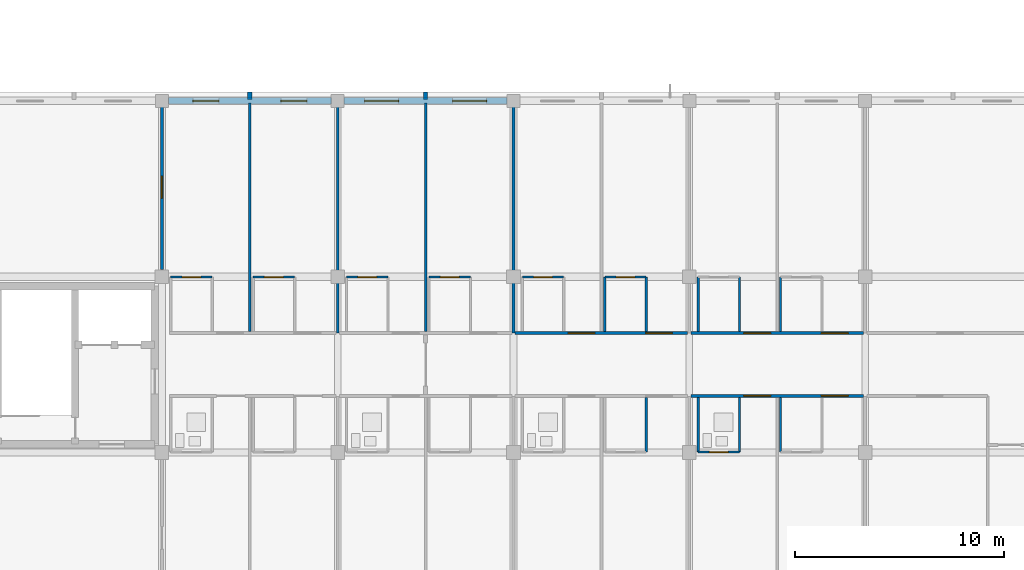
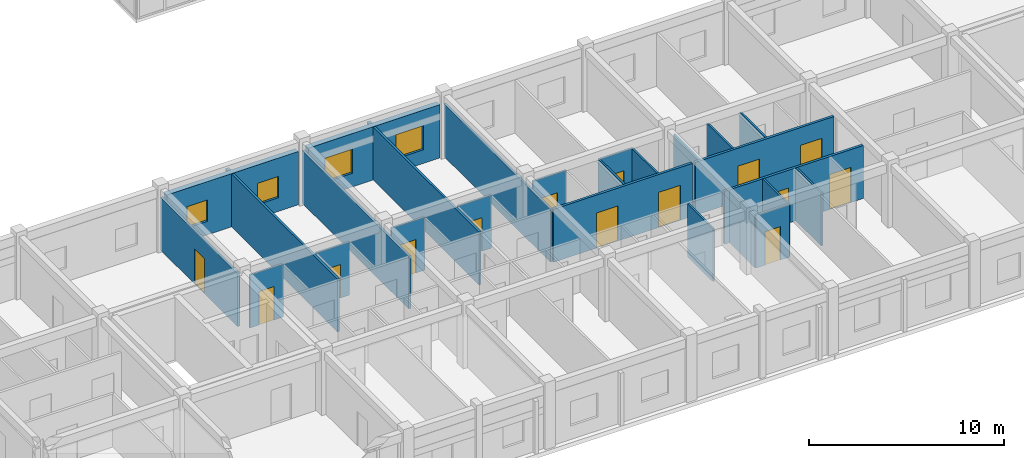
# One storey, part 60 of 81: 28 walls, 14 doors, 4 windows, 18 openings.
"""IFC4 building model written with IfcOpenShell, lengths in metres."""

from ifc_helpers import new_model, si_unit, direction, frame, frame_2d, origin, place, context, subcontext, project, spatial, rectangle, extrude, material, layer, layer_set, type_object, element, fill, save


model = new_model("IFC4")

# Units and contexts
model_context = context("Model", 3, precision=1e-05, world=origin(), true_north=direction((0.0, 1.0)))
body_context = subcontext(model_context, "Body", "Model", "MODEL_VIEW")
ifc_project = project(units=[si_unit("LENGTHUNIT", "METRE"), si_unit("AREAUNIT", "SQUARE_METRE"), si_unit("VOLUMEUNIT", "CUBIC_METRE"), si_unit("PLANEANGLEUNIT", "RADIAN"), si_unit("MASSUNIT", "GRAM", prefix="KILO")], contexts=[model_context])

# Site, building, storey
site_placement = place(None, origin())
site = spatial("IfcSite", under=ifc_project, at=site_placement, CompositionType="ELEMENT")
building_placement = place(site_placement, origin())
building = spatial("IfcBuilding", under=site, at=building_placement, Name="Trelvath General Hospital", CompositionType="ELEMENT")
storey_placement = place(building_placement, frame((0.0, 0.0, 24.60009765625)))
storey = spatial("IfcBuildingStorey", under=building, at=storey_placement, Name="L06", CompositionType="ELEMENT", Elevation=24.60009765625)

# Walls
ifc_material_1 = material(Name="Precast concrete C40/50", Category="concrete")
ifc_layer_1 = layer(ifc_material_1, 0.199951171875)
ifc_layer_set_1 = layer_set([ifc_layer_1], Name="Precast concrete C40/50")
wall_type_1 = type_object("IfcWallType", Name="BriseSoleilRib 200", PredefinedType="ELEMENTEDWALL", material=ifc_layer_set_1)
for number, where, z_axis, x_axis, name in (
    (1, (54.60009765625, 25.27490234375, 0.0), (0.0, 0.0, 1.0), (0.0, 1.0, 0.0), "Precast Concrete Brise-Soleil Rib Fin L06-420"),
    (2, (63.0, 25.27490234375, 0.0), (0.0, 0.0, 1.0), (0.0, 1.0, 0.0), "Precast Concrete Brise-Soleil Rib Fin L06-424"),
):
    element("IfcWall", number, at=place(storey_placement, frame(where, z_axis=z_axis, x_axis=x_axis)), inside=storey, type_object=wall_type_1, Name=name, PredefinedType="ELEMENTEDWALL", context=body_context, shape_type="SweptSolid", body=[
        extrude(rectangle(XDim=0.340087890625, YDim=0.199951171875, at=frame_2d((0.169921875, 0.0))), origin(), (0.0, 0.0, 1.0), 3.31982421875),
    ])

# Wall, openings, doors
ifc_material_2 = material(Name="Gypsum acoustic steel-stud partition", Category="steel")
ifc_layer_2 = layer(ifc_material_2, 0.14990234375)
ifc_layer_set_2 = layer_set([ifc_layer_2], Name="Gypsum acoustic steel-stud partition")
wall_type_2 = type_object("IfcWallType", Name="ClinicalPartition 150", PredefinedType="PARTITIONING", material=ifc_layer_set_2)
wall_1_placement = place(storey_placement, frame((75.52001953125, 14.10009765625, 0.0), z_axis=(0.0, 0.0, 1.0), x_axis=(-1.0, 0.0, 0.0)))
wall_1 = element("IfcWall", 3, at=wall_1_placement, inside=storey, type_object=wall_type_2, Name="Corridor Partition N L06-2092", PredefinedType="PARTITIONING", context=body_context, shape_type="SweptSolid", body=[
    extrude(rectangle(XDim=8.239990234375, YDim=0.14990234375, at=frame_2d((4.1201171875, 0.0))), origin(), (0.0, 0.0, 1.0), 3.31982421875),
])
opening_1_placement = place(wall_1_placement, frame((0.72998046875, 0.0, 0.0)))
opening_1 = element("IfcOpeningElement", 4, at=opening_1_placement, cuts=wall_1, Name="Opening D-6-1338", PredefinedType="OPENING", context=body_context, shape_type="SweptSolid", body=[
    extrude(rectangle(XDim=1.280029296875, YDim=2.199951171875, at=frame_2d((0.64013671875, 1.10009765625))), frame((0.0, 0.0849609375, 0.0), z_axis=(0.0, -1.0, 0.0), x_axis=(1.0, 0.0, 0.0)), (0.0, 0.0, 1.0), 0.169921875),
])
opening_2_placement = place(wall_1_placement, frame((4.429931640625, 0.0, 0.0)))
opening_2 = element("IfcOpeningElement", 5, at=opening_2_placement, cuts=wall_1, Name="Opening D-6-1339", PredefinedType="OPENING", context=body_context, shape_type="SweptSolid", body=[
    extrude(rectangle(XDim=1.280029296875, YDim=2.199951171875, at=frame_2d((0.64013671875, 1.10009765625))), frame((0.0, 0.0849609375, 0.0), z_axis=(0.0, -1.0, 0.0), x_axis=(1.0, 0.0, 0.0)), (0.0, 0.0, 1.0), 0.169921875),
])
ifc_material_3 = material(Name="Pediatric ward timber door", Category="wood")
door_type_1 = type_object("IfcDoorType", Name="Door PatientPeds 1280x2200", OperationType="NOTDEFINED", PredefinedType="DOOR", material=ifc_material_3)
door_1_placement = place(opening_1_placement, origin())
door_1 = element("IfcDoor", 6, at=door_1_placement, inside=storey, type_object=door_type_1, Name="Patient Room Door N L06-1338", OperationType="SINGLE_SWING_RIGHT", OverallHeight=2.199951171875, OverallWidth=1.280029296875, PredefinedType="DOOR", context=body_context, shape_type="SweptSolid", body=[
    extrude(rectangle(XDim=1.280029296875, YDim=2.199951171875, at=frame_2d((0.64013671875, 1.10009765625))), frame((0.0, 0.02490234375, 0.0), z_axis=(0.0, -1.0, 0.0), x_axis=(1.0, 0.0, 0.0)), (0.0, 0.0, 1.0), 0.050048828125),
])
fill(opening_1, door_1)
door_2_placement = place(opening_2_placement, origin())
door_2 = element("IfcDoor", 7, at=door_2_placement, inside=storey, type_object=door_type_1, Name="Patient Room Door N L06-1339", OperationType="SINGLE_SWING_RIGHT", OverallHeight=2.199951171875, OverallWidth=1.280029296875, PredefinedType="DOOR", context=body_context, shape_type="SweptSolid", body=[
    extrude(rectangle(XDim=1.280029296875, YDim=2.199951171875, at=frame_2d((0.64013671875, 1.10009765625))), frame((0.0, 0.02490234375, 0.0), z_axis=(0.0, -1.0, 0.0), x_axis=(1.0, 0.0, 0.0)), (0.0, 0.0, 1.0), 0.050048828125),
])
fill(opening_2, door_2)

wall_2_placement = place(storey_placement, frame((75.679931640625, 11.10009765625, 0.0), z_axis=(0.0, 0.0, 1.0), x_axis=(1.0, 0.0, 0.0)))
wall_2 = element("IfcWall", 8, at=wall_2_placement, inside=storey, type_object=wall_type_2, Name="Corridor Partition L06-2102", PredefinedType="PARTITIONING", context=body_context, shape_type="SweptSolid", body=[
    extrude(rectangle(XDim=8.239990234375, YDim=0.14990234375, at=frame_2d((4.1201171875, 0.0))), origin(), (0.0, 0.0, 1.0), 3.31982421875),
])
opening_3_placement = place(wall_2_placement, frame((2.530029296875, 0.0, 0.0)))
opening_3 = element("IfcOpeningElement", 9, at=opening_3_placement, cuts=wall_2, Name="Opening D-6-1342", PredefinedType="OPENING", context=body_context, shape_type="SweptSolid", body=[
    extrude(rectangle(XDim=1.280029296875, YDim=2.199951171875, at=frame_2d((0.64013671875, 1.10009765625))), frame((0.0, 0.0849609375, 0.0), z_axis=(0.0, -1.0, 0.0), x_axis=(1.0, 0.0, 0.0)), (0.0, 0.0, 1.0), 0.169921875),
])
opening_4_placement = place(wall_2_placement, frame((6.22998046875, 0.0, 0.0)))
opening_4 = element("IfcOpeningElement", 10, at=opening_4_placement, cuts=wall_2, Name="Opening D-6-1343", PredefinedType="OPENING", context=body_context, shape_type="SweptSolid", body=[
    extrude(rectangle(XDim=1.280029296875, YDim=2.199951171875, at=frame_2d((0.64013671875, 1.10009765625))), frame((0.0, 0.0849609375, 0.0), z_axis=(0.0, -1.0, 0.0), x_axis=(1.0, 0.0, 0.0)), (0.0, 0.0, 1.0), 0.169921875),
])
door_3_placement = place(opening_3_placement, origin())
door_3 = element("IfcDoor", 11, at=door_3_placement, inside=storey, type_object=door_type_1, Name="Patient Room Door L06-1342", OperationType="SINGLE_SWING_LEFT", OverallHeight=2.199951171875, OverallWidth=1.280029296875, PredefinedType="DOOR", context=body_context, shape_type="SweptSolid", body=[
    extrude(rectangle(XDim=1.280029296875, YDim=2.199951171875, at=frame_2d((0.64013671875, 1.10009765625))), frame((0.0, 0.02490234375, 0.0), z_axis=(0.0, -1.0, 0.0), x_axis=(1.0, 0.0, 0.0)), (0.0, 0.0, 1.0), 0.050048828125),
])
fill(opening_3, door_3)
door_4_placement = place(opening_4_placement, origin())
door_4 = element("IfcDoor", 12, at=door_4_placement, inside=storey, type_object=door_type_1, Name="Patient Room Door L06-1343", OperationType="SINGLE_SWING_RIGHT", OverallHeight=2.199951171875, OverallWidth=1.280029296875, PredefinedType="DOOR", context=body_context, shape_type="SweptSolid", body=[
    extrude(rectangle(XDim=1.280029296875, YDim=2.199951171875, at=frame_2d((0.64013671875, 1.10009765625))), frame((0.0, 0.02490234375, 0.0), z_axis=(0.0, -1.0, 0.0), x_axis=(1.0, 0.0, 0.0)), (0.0, 0.0, 1.0), 0.050048828125),
])
fill(opening_4, door_4)

wall_3_placement = place(storey_placement, frame((83.919921875, 14.10009765625, 0.0), z_axis=(0.0, 0.0, 1.0), x_axis=(-1.0, 0.0, 0.0)))
wall_3 = element("IfcWall", 13, at=wall_3_placement, inside=storey, type_object=wall_type_2, Name="Corridor Partition N L06-2110", PredefinedType="PARTITIONING", context=body_context, shape_type="SweptSolid", body=[
    extrude(rectangle(XDim=8.239990234375, YDim=0.14990234375, at=frame_2d((4.1201171875, 0.0))), origin(), (0.0, 0.0, 1.0), 3.31982421875),
])
opening_5_placement = place(wall_3_placement, frame((0.72998046875, 0.0, 0.0)))
opening_5 = element("IfcOpeningElement", 14, at=opening_5_placement, cuts=wall_3, Name="Opening D-6-1346", PredefinedType="OPENING", context=body_context, shape_type="SweptSolid", body=[
    extrude(rectangle(XDim=1.280029296875, YDim=2.199951171875, at=frame_2d((0.64013671875, 1.10009765625))), frame((0.0, 0.0849609375, 0.0), z_axis=(0.0, -1.0, 0.0), x_axis=(1.0, 0.0, 0.0)), (0.0, 0.0, 1.0), 0.169921875),
])
opening_6_placement = place(wall_3_placement, frame((4.429931640625, 0.0, 0.0)))
opening_6 = element("IfcOpeningElement", 15, at=opening_6_placement, cuts=wall_3, Name="Opening D-6-1347", PredefinedType="OPENING", context=body_context, shape_type="SweptSolid", body=[
    extrude(rectangle(XDim=1.280029296875, YDim=2.199951171875, at=frame_2d((0.64013671875, 1.10009765625))), frame((0.0, 0.0849609375, 0.0), z_axis=(0.0, -1.0, 0.0), x_axis=(1.0, 0.0, 0.0)), (0.0, 0.0, 1.0), 0.169921875),
])
door_5_placement = place(opening_5_placement, origin())
door_5 = element("IfcDoor", 16, at=door_5_placement, inside=storey, type_object=door_type_1, Name="Patient Room Door N L06-1346", OperationType="SINGLE_SWING_LEFT", OverallHeight=2.199951171875, OverallWidth=1.280029296875, PredefinedType="DOOR", context=body_context, shape_type="SweptSolid", body=[
    extrude(rectangle(XDim=1.280029296875, YDim=2.199951171875, at=frame_2d((0.64013671875, 1.10009765625))), frame((0.0, 0.02490234375, 0.0), z_axis=(0.0, -1.0, 0.0), x_axis=(1.0, 0.0, 0.0)), (0.0, 0.0, 1.0), 0.050048828125),
])
fill(opening_5, door_5)
door_6_placement = place(opening_6_placement, origin())
door_6 = element("IfcDoor", 17, at=door_6_placement, inside=storey, type_object=door_type_1, Name="Patient Room Door N L06-1347", OperationType="SINGLE_SWING_LEFT", OverallHeight=2.199951171875, OverallWidth=1.280029296875, PredefinedType="DOOR", context=body_context, shape_type="SweptSolid", body=[
    extrude(rectangle(XDim=1.280029296875, YDim=2.199951171875, at=frame_2d((0.64013671875, 1.10009765625))), frame((0.0, 0.02490234375, 0.0), z_axis=(0.0, -1.0, 0.0), x_axis=(1.0, 0.0, 0.0)), (0.0, 0.0, 1.0), 0.050048828125),
])
fill(opening_6, door_6)

# Wall, opening, door
ifc_material_4 = material(Name="Moisture-resistant tile partition")
ifc_layer_3 = layer(ifc_material_4, 0.110107421875)
ifc_layer_set_3 = layer_set([ifc_layer_3], Name="Moisture-resistant tile partition")
wall_type_3 = type_object("IfcWallType", Name="EnSuiteWetWall 110", PredefinedType="PARTITIONING", material=ifc_layer_set_3)
wall_4_placement = place(storey_placement, frame((50.820068359375, 16.780029296875, 0.0), z_axis=(0.0, 0.0, 1.0), x_axis=(1.0, 0.0, 0.0)))
wall_4 = element("IfcWall", 18, at=wall_4_placement, inside=storey, type_object=wall_type_3, Name="En-Suite Bathroom N Partition L06-2058", PredefinedType="PARTITIONING", context=body_context, shape_type="SweptSolid", body=[
    extrude(rectangle(XDim=1.97998046875, YDim=0.110107421875, at=frame_2d((0.989990234375, 0.0))), origin(), (0.0, 0.0, 1.0), 3.31982421875),
])
opening_7_placement = place(wall_4_placement, frame((0.5400390625, 0.0, 0.0)))
opening_7 = element("IfcOpeningElement", 19, at=opening_7_placement, cuts=wall_4, Name="Opening D-6-1323", PredefinedType="OPENING", context=body_context, shape_type="SweptSolid", body=[
    extrude(rectangle(XDim=0.89990234375, YDim=2.10009765625, at=frame_2d((0.449951171875, 1.050048828125))), frame((0.0, 0.06494140625, 0.0), z_axis=(0.0, -1.0, 0.0), x_axis=(1.0, 0.0, 0.0)), (0.0, 0.0, 1.0), 0.130126953125),
])
ifc_material_5 = material(Name="Moisture-sealed timber leaf", Category="wood")
door_type_2 = type_object("IfcDoorType", Name="Door EnSuite 900x2100", OperationType="NOTDEFINED", PredefinedType="DOOR", material=ifc_material_5)
door_7_placement = place(opening_7_placement, origin())
door_7 = element("IfcDoor", 20, at=door_7_placement, inside=storey, type_object=door_type_2, Name="En-Suite Bathroom N Door L06-1323", OperationType="SINGLE_SWING_LEFT", OverallHeight=2.10009765625, OverallWidth=0.89990234375, PredefinedType="DOOR", context=body_context, shape_type="SweptSolid", body=[
    extrude(rectangle(XDim=0.89990234375, YDim=2.10009765625, at=frame_2d((0.449951171875, 1.050048828125))), frame((0.0, 0.02490234375, 0.0), z_axis=(0.0, -1.0, 0.0), x_axis=(1.0, 0.0, 0.0)), (0.0, 0.0, 1.0), 0.050048828125),
])
fill(opening_7, door_7)

wall_5_placement = place(storey_placement, frame((54.760009765625, 16.780029296875, 0.0), z_axis=(0.0, 0.0, 1.0), x_axis=(1.0, 0.0, 0.0)))
wall_5 = element("IfcWall", 21, at=wall_5_placement, inside=storey, type_object=wall_type_3, Name="En-Suite Bathroom N Partition L06-2061", PredefinedType="PARTITIONING", context=body_context, shape_type="SweptSolid", body=[
    extrude(rectangle(XDim=1.97998046875, YDim=0.110107421875, at=frame_2d((0.989990234375, 0.0))), origin(), (0.0, 0.0, 1.0), 3.31982421875),
])
opening_8_placement = place(wall_5_placement, frame((0.5400390625, 0.0, 0.0)))
opening_8 = element("IfcOpeningElement", 22, at=opening_8_placement, cuts=wall_5, Name="Opening D-6-1324", PredefinedType="OPENING", context=body_context, shape_type="SweptSolid", body=[
    extrude(rectangle(XDim=0.89990234375, YDim=2.10009765625, at=frame_2d((0.449951171875, 1.050048828125))), frame((0.0, 0.06494140625, 0.0), z_axis=(0.0, -1.0, 0.0), x_axis=(1.0, 0.0, 0.0)), (0.0, 0.0, 1.0), 0.130126953125),
])
door_8_placement = place(opening_8_placement, origin())
door_8 = element("IfcDoor", 23, at=door_8_placement, inside=storey, type_object=door_type_2, Name="En-Suite Bathroom N Door L06-1324", OperationType="SINGLE_SWING_RIGHT", OverallHeight=2.10009765625, OverallWidth=0.89990234375, PredefinedType="DOOR", context=body_context, shape_type="SweptSolid", body=[
    extrude(rectangle(XDim=0.89990234375, YDim=2.10009765625, at=frame_2d((0.449951171875, 1.050048828125))), frame((0.0, 0.02490234375, 0.0), z_axis=(0.0, -1.0, 0.0), x_axis=(1.0, 0.0, 0.0)), (0.0, 0.0, 1.0), 0.050048828125),
])
fill(opening_8, door_8)

wall_6_placement = place(storey_placement, frame((59.219970703125, 16.780029296875, 0.0), z_axis=(0.0, 0.0, 1.0), x_axis=(1.0, 0.0, 0.0)))
wall_6 = element("IfcWall", 24, at=wall_6_placement, inside=storey, type_object=wall_type_3, Name="En-Suite Bathroom N Partition L06-2076", PredefinedType="PARTITIONING", context=body_context, shape_type="SweptSolid", body=[
    extrude(rectangle(XDim=1.97998046875, YDim=0.110107421875, at=frame_2d((0.989990234375, 0.0))), origin(), (0.0, 0.0, 1.0), 3.31982421875),
])
opening_9_placement = place(wall_6_placement, frame((0.5400390625, 0.0, 0.0)))
opening_9 = element("IfcOpeningElement", 25, at=opening_9_placement, cuts=wall_6, Name="Opening D-6-1331", PredefinedType="OPENING", context=body_context, shape_type="SweptSolid", body=[
    extrude(rectangle(XDim=0.89990234375, YDim=2.10009765625, at=frame_2d((0.449951171875, 1.050048828125))), frame((0.0, 0.06494140625, 0.0), z_axis=(0.0, -1.0, 0.0), x_axis=(1.0, 0.0, 0.0)), (0.0, 0.0, 1.0), 0.130126953125),
])
door_9_placement = place(opening_9_placement, origin())
door_9 = element("IfcDoor", 26, at=door_9_placement, inside=storey, type_object=door_type_2, Name="En-Suite Bathroom N Door L06-1331", OperationType="SINGLE_SWING_RIGHT", OverallHeight=2.10009765625, OverallWidth=0.89990234375, PredefinedType="DOOR", context=body_context, shape_type="SweptSolid", body=[
    extrude(rectangle(XDim=0.89990234375, YDim=2.10009765625, at=frame_2d((0.449951171875, 1.050048828125))), frame((0.0, 0.02490234375, 0.0), z_axis=(0.0, -1.0, 0.0), x_axis=(1.0, 0.0, 0.0)), (0.0, 0.0, 1.0), 0.050048828125),
])
fill(opening_9, door_9)

wall_7_placement = place(storey_placement, frame((63.159912109375, 16.780029296875, 0.0), z_axis=(0.0, 0.0, 1.0), x_axis=(1.0, 0.0, 0.0)))
wall_7 = element("IfcWall", 27, at=wall_7_placement, inside=storey, type_object=wall_type_3, Name="En-Suite Bathroom N Partition L06-2079", PredefinedType="PARTITIONING", context=body_context, shape_type="SweptSolid", body=[
    extrude(rectangle(XDim=1.97998046875, YDim=0.110107421875, at=frame_2d((0.989990234375, 0.0))), origin(), (0.0, 0.0, 1.0), 3.31982421875),
])
opening_10_placement = place(wall_7_placement, frame((0.5400390625, 0.0, 0.0)))
opening_10 = element("IfcOpeningElement", 28, at=opening_10_placement, cuts=wall_7, Name="Opening D-6-1332", PredefinedType="OPENING", context=body_context, shape_type="SweptSolid", body=[
    extrude(rectangle(XDim=0.89990234375, YDim=2.10009765625, at=frame_2d((0.449951171875, 1.050048828125))), frame((0.0, 0.06494140625, 0.0), z_axis=(0.0, -1.0, 0.0), x_axis=(1.0, 0.0, 0.0)), (0.0, 0.0, 1.0), 0.130126953125),
])
door_10_placement = place(opening_10_placement, origin())
door_10 = element("IfcDoor", 29, at=door_10_placement, inside=storey, type_object=door_type_2, Name="En-Suite Bathroom N Door L06-1332", OperationType="SINGLE_SWING_LEFT", OverallHeight=2.10009765625, OverallWidth=0.89990234375, PredefinedType="DOOR", context=body_context, shape_type="SweptSolid", body=[
    extrude(rectangle(XDim=0.89990234375, YDim=2.10009765625, at=frame_2d((0.449951171875, 1.050048828125))), frame((0.0, 0.02490234375, 0.0), z_axis=(0.0, -1.0, 0.0), x_axis=(1.0, 0.0, 0.0)), (0.0, 0.0, 1.0), 0.050048828125),
])
fill(opening_10, door_10)

# Wall
wall_8_placement = place(storey_placement, frame((73.5400390625, 8.419921875, 0.0), z_axis=(0.0, 0.0, 1.0), x_axis=(0.0, 1.0, 0.0)))
element("IfcWall", 30, at=wall_8_placement, inside=storey, type_object=wall_type_3, Name="En-Suite E Wall L06-2089", PredefinedType="PARTITIONING", context=body_context, shape_type="SweptSolid", body=[
    extrude(rectangle(XDim=2.610107421875, YDim=0.110107421875, at=frame_2d((1.30517578125, 0.0))), origin(), (0.0, 0.0, 1.0), 3.31982421875),
])

# Wall, opening, door
wall_9_placement = place(storey_placement, frame((67.6201171875, 16.780029296875, 0.0), z_axis=(0.0, 0.0, 1.0), x_axis=(1.0, 0.0, 0.0)))
wall_9 = element("IfcWall", 31, at=wall_9_placement, inside=storey, type_object=wall_type_3, Name="En-Suite Bathroom N Partition L06-2096", PredefinedType="PARTITIONING", context=body_context, shape_type="SweptSolid", body=[
    extrude(rectangle(XDim=1.97998046875, YDim=0.110107421875, at=frame_2d((0.989990234375, 0.0))), origin(), (0.0, 0.0, 1.0), 3.31982421875),
])
opening_11_placement = place(wall_9_placement, frame((0.5400390625, 0.0, 0.0)))
opening_11 = element("IfcOpeningElement", 32, at=opening_11_placement, cuts=wall_9, Name="Opening D-6-1340", PredefinedType="OPENING", context=body_context, shape_type="SweptSolid", body=[
    extrude(rectangle(XDim=0.89990234375, YDim=2.10009765625, at=frame_2d((0.449951171875, 1.050048828125))), frame((0.0, 0.06494140625, 0.0), z_axis=(0.0, -1.0, 0.0), x_axis=(1.0, 0.0, 0.0)), (0.0, 0.0, 1.0), 0.130126953125),
])
door_11_placement = place(opening_11_placement, origin())
door_11 = element("IfcDoor", 33, at=door_11_placement, inside=storey, type_object=door_type_2, Name="En-Suite Bathroom N Door L06-1340", OperationType="SINGLE_SWING_LEFT", OverallHeight=2.10009765625, OverallWidth=0.89990234375, PredefinedType="DOOR", context=body_context, shape_type="SweptSolid", body=[
    extrude(rectangle(XDim=0.89990234375, YDim=2.10009765625, at=frame_2d((0.449951171875, 1.050048828125))), frame((0.0, 0.02490234375, 0.0), z_axis=(0.0, -1.0, 0.0), x_axis=(1.0, 0.0, 0.0)), (0.0, 0.0, 1.0), 0.050048828125),
])
fill(opening_11, door_11)

# Walls
for number, where, z_axis, x_axis, name in (
    (34, (71.56005859375, 14.169921875, 0.0), (0.0, 0.0, 1.0), (0.0, 1.0, 0.0), "En-Suite W Wall N L06-2097"),
    (35, (73.5400390625, 14.169921875, 0.0), (0.0, 0.0, 1.0), (0.0, 1.0, 0.0), "En-Suite E Wall N L06-2098"),
):
    element("IfcWall", number, at=place(storey_placement, frame(where, z_axis=z_axis, x_axis=x_axis)), inside=storey, type_object=wall_type_3, Name=name, PredefinedType="PARTITIONING", context=body_context, shape_type="SweptSolid", body=[
        extrude(rectangle(XDim=2.610107421875, YDim=0.110107421875, at=frame_2d((1.30517578125, 0.0))), origin(), (0.0, 0.0, 1.0), 3.31982421875),
    ])

# Wall, opening, door
wall_10_placement = place(storey_placement, frame((71.56005859375, 16.780029296875, 0.0), z_axis=(0.0, 0.0, 1.0), x_axis=(1.0, 0.0, 0.0)))
wall_10 = element("IfcWall", 36, at=wall_10_placement, inside=storey, type_object=wall_type_3, Name="En-Suite Bathroom N Partition L06-2099", PredefinedType="PARTITIONING", context=body_context, shape_type="SweptSolid", body=[
    extrude(rectangle(XDim=1.97998046875, YDim=0.110107421875, at=frame_2d((0.989990234375, 0.0))), origin(), (0.0, 0.0, 1.0), 3.31982421875),
])
opening_12_placement = place(wall_10_placement, frame((0.5400390625, 0.0, 0.0)))
opening_12 = element("IfcOpeningElement", 37, at=opening_12_placement, cuts=wall_10, Name="Opening D-6-1341", PredefinedType="OPENING", context=body_context, shape_type="SweptSolid", body=[
    extrude(rectangle(XDim=0.89990234375, YDim=2.10009765625, at=frame_2d((0.449951171875, 1.050048828125))), frame((0.0, 0.06494140625, 0.0), z_axis=(0.0, -1.0, 0.0), x_axis=(1.0, 0.0, 0.0)), (0.0, 0.0, 1.0), 0.130126953125),
])
door_12_placement = place(opening_12_placement, origin())
door_12 = element("IfcDoor", 38, at=door_12_placement, inside=storey, type_object=door_type_2, Name="En-Suite Bathroom N Door L06-1341", OperationType="SINGLE_SWING_RIGHT", OverallHeight=2.10009765625, OverallWidth=0.89990234375, PredefinedType="DOOR", context=body_context, shape_type="SweptSolid", body=[
    extrude(rectangle(XDim=0.89990234375, YDim=2.10009765625, at=frame_2d((0.449951171875, 1.050048828125))), frame((0.0, 0.02490234375, 0.0), z_axis=(0.0, -1.0, 0.0), x_axis=(1.0, 0.0, 0.0)), (0.0, 0.0, 1.0), 0.050048828125),
])
fill(opening_12, door_12)

# Walls
for number, where, z_axis, x_axis, name in (
    (39, (76.02001953125, 8.419921875, 0.0), (0.0, 0.0, 1.0), (0.0, 1.0, 0.0), "En-Suite W Wall L06-2104"),
    (40, (78.0, 8.419921875, 0.0), (0.0, 0.0, 1.0), (0.0, 1.0, 0.0), "En-Suite E Wall L06-2105"),
):
    element("IfcWall", number, at=place(storey_placement, frame(where, z_axis=z_axis, x_axis=x_axis)), inside=storey, type_object=wall_type_3, Name=name, PredefinedType="PARTITIONING", context=body_context, shape_type="SweptSolid", body=[
        extrude(rectangle(XDim=2.610107421875, YDim=0.110107421875, at=frame_2d((1.30517578125, 0.0))), origin(), (0.0, 0.0, 1.0), 3.31982421875),
    ])

# Wall, opening, door
wall_11_placement = place(storey_placement, frame((76.02001953125, 8.419921875, 0.0), z_axis=(0.0, 0.0, 1.0), x_axis=(1.0, 0.0, 0.0)))
wall_11 = element("IfcWall", 41, at=wall_11_placement, inside=storey, type_object=wall_type_3, Name="En-Suite Bathroom Partition L06-2106", PredefinedType="PARTITIONING", context=body_context, shape_type="SweptSolid", body=[
    extrude(rectangle(XDim=1.97998046875, YDim=0.110107421875, at=frame_2d((0.989990234375, 0.0))), origin(), (0.0, 0.0, 1.0), 3.31982421875),
])
opening_13_placement = place(wall_11_placement, frame((0.5400390625, 0.0, 0.0)))
opening_13 = element("IfcOpeningElement", 42, at=opening_13_placement, cuts=wall_11, Name="Opening D-6-1344", PredefinedType="OPENING", context=body_context, shape_type="SweptSolid", body=[
    extrude(rectangle(XDim=0.89990234375, YDim=2.10009765625, at=frame_2d((0.449951171875, 1.050048828125))), frame((0.0, 0.06494140625, 0.0), z_axis=(0.0, -1.0, 0.0), x_axis=(1.0, 0.0, 0.0)), (0.0, 0.0, 1.0), 0.130126953125),
])
door_13_placement = place(opening_13_placement, origin())
door_13 = element("IfcDoor", 43, at=door_13_placement, inside=storey, type_object=door_type_2, Name="En-Suite Bathroom Door L06-1344", OperationType="SINGLE_SWING_LEFT", OverallHeight=2.10009765625, OverallWidth=0.89990234375, PredefinedType="DOOR", context=body_context, shape_type="SweptSolid", body=[
    extrude(rectangle(XDim=0.89990234375, YDim=2.10009765625, at=frame_2d((0.449951171875, 1.050048828125))), frame((0.0, 0.02490234375, 0.0), z_axis=(0.0, -1.0, 0.0), x_axis=(1.0, 0.0, 0.0)), (0.0, 0.0, 1.0), 0.050048828125),
])
fill(opening_13, door_13)

# Walls
for number, where, z_axis, x_axis, name in (
    (44, (79.9599609375, 8.419921875, 0.0), (0.0, 0.0, 1.0), (0.0, 1.0, 0.0), "En-Suite W Wall L06-2107"),
    (45, (76.02001953125, 14.169921875, 0.0), (0.0, 0.0, 1.0), (0.0, 1.0, 0.0), "En-Suite W Wall N L06-2112"),
    (46, (78.0, 14.169921875, 0.0), (0.0, 0.0, 1.0), (0.0, 1.0, 0.0), "En-Suite E Wall N L06-2113"),
    (47, (79.9599609375, 14.169921875, 0.0), (0.0, 0.0, 1.0), (0.0, 1.0, 0.0), "En-Suite W Wall N L06-2115"),
):
    element("IfcWall", number, at=place(storey_placement, frame(where, z_axis=z_axis, x_axis=x_axis)), inside=storey, type_object=wall_type_3, Name=name, PredefinedType="PARTITIONING", context=body_context, shape_type="SweptSolid", body=[
        extrude(rectangle(XDim=2.610107421875, YDim=0.110107421875, at=frame_2d((1.30517578125, 0.0))), origin(), (0.0, 0.0, 1.0), 3.31982421875),
    ])

# Wall, openings, windows
ifc_material_6 = material(Name="Concrete C35/45", Category="concrete")
ifc_layer_4 = layer(ifc_material_6, 0.320068359375)
ifc_layer_set_4 = layer_set([ifc_layer_4], Name="Concrete C35/45")
wall_type_4 = type_object("IfcWallType", Name="ExtThermalWall 320", PredefinedType="SOLIDWALL", material=ifc_layer_set_4)
wall_12_placement = place(storey_placement, frame((50.705078125, 25.199951171875, 0.0), z_axis=(0.0, 0.0, 1.0), x_axis=(1.0, 0.0, 0.0)))
wall_12 = element("IfcWall", 48, at=wall_12_placement, inside=storey, type_object=wall_type_4, Name="Exterior Concrete Wall L06-563", PredefinedType="SOLIDWALL", context=body_context, shape_type="SweptSolid", body=[
    extrude(rectangle(XDim=7.7900390625, YDim=0.320068359375, at=frame_2d((3.89501953125, 0.0))), origin(), (0.0, 0.0, 1.0), 3.33984375),
])
opening_14_placement = place(wall_12_placement, frame((1.171630859375, 0.0, 0.85009765625)))
opening_14 = element("IfcOpeningElement", 49, at=opening_14_placement, cuts=wall_12, Name="Opening WN-6-941", PredefinedType="OPENING", context=body_context, shape_type="SweptSolid", body=[
    extrude(rectangle(XDim=1.239990234375, YDim=1.340087890625, at=frame_2d((0.6201171875, 0.669921875))), frame((0.0, 0.169921875, 0.0), z_axis=(0.0, -1.0, 0.0), x_axis=(1.0, 0.0, 0.0)), (0.0, 0.0, 1.0), 0.340087890625),
])
opening_15_placement = place(wall_12_placement, frame((5.37841796875, 0.0, 0.85009765625)))
opening_15 = element("IfcOpeningElement", 50, at=opening_15_placement, cuts=wall_12, Name="Opening WN-6-942", PredefinedType="OPENING", context=body_context, shape_type="SweptSolid", body=[
    extrude(rectangle(XDim=1.239990234375, YDim=1.340087890625, at=frame_2d((0.6201171875, 0.669921875))), frame((0.0, 0.169921875, 0.0), z_axis=(0.0, -1.0, 0.0), x_axis=(1.0, 0.0, 0.0)), (0.0, 0.0, 1.0), 0.340087890625),
])
ifc_material_7 = material(Name="Low-E laminated glass", Category="glass")
window_type_1 = type_object("IfcWindowType", Name="Window Pharmacy 1240x1340", PartitioningType="DOUBLE_PANEL_VERTICAL", PredefinedType="WINDOW", material=ifc_material_7)
window_1_placement = place(opening_14_placement, origin())
window_1 = element("IfcWindow", 51, at=window_1_placement, inside=storey, type_object=window_type_1, Name="Solar Reveal Window L06-941", OverallHeight=1.340087890625, OverallWidth=1.239990234375, PartitioningType="SINGLE_PANEL", PredefinedType="WINDOW", context=body_context, shape_type="SweptSolid", body=[
    extrude(rectangle(XDim=1.239990234375, YDim=1.340087890625, at=frame_2d((0.6201171875, 0.669921875))), frame((0.0, 0.030029296875, 0.0), z_axis=(0.0, -1.0, 0.0), x_axis=(1.0, 0.0, 0.0)), (0.0, 0.0, 1.0), 0.06005859375),
])
fill(opening_14, window_1)
window_2_placement = place(opening_15_placement, origin())
window_2 = element("IfcWindow", 52, at=window_2_placement, inside=storey, type_object=window_type_1, Name="Solar Reveal Window L06-942", OverallHeight=1.340087890625, OverallWidth=1.239990234375, PartitioningType="SINGLE_PANEL", PredefinedType="WINDOW", context=body_context, shape_type="SweptSolid", body=[
    extrude(rectangle(XDim=1.239990234375, YDim=1.340087890625, at=frame_2d((0.6201171875, 0.669921875))), frame((0.0, 0.030029296875, 0.0), z_axis=(0.0, -1.0, 0.0), x_axis=(1.0, 0.0, 0.0)), (0.0, 0.0, 1.0), 0.06005859375),
])
fill(opening_15, window_2)

wall_13_placement = place(storey_placement, frame((59.10498046875, 25.199951171875, 0.0), z_axis=(0.0, 0.0, 1.0), x_axis=(1.0, 0.0, 0.0)))
wall_13 = element("IfcWall", 53, at=wall_13_placement, inside=storey, type_object=wall_type_4, Name="Exterior Concrete Wall L06-567", PredefinedType="SOLIDWALL", context=body_context, shape_type="SweptSolid", body=[
    extrude(rectangle(XDim=7.7900390625, YDim=0.320068359375, at=frame_2d((3.89501953125, 0.0))), origin(), (0.0, 0.0, 1.0), 3.33984375),
])
opening_16_placement = place(wall_13_placement, frame((0.981689453125, 0.0, 0.85009765625)))
opening_16 = element("IfcOpeningElement", 54, at=opening_16_placement, cuts=wall_13, Name="Opening WN-6-949", PredefinedType="OPENING", context=body_context, shape_type="SweptSolid", body=[
    extrude(rectangle(XDim=1.6201171875, YDim=1.52001953125, at=frame_2d((0.81005859375, 0.760009765625))), frame((0.0, 0.169921875, 0.0), z_axis=(0.0, -1.0, 0.0), x_axis=(1.0, 0.0, 0.0)), (0.0, 0.0, 1.0), 0.340087890625),
])
opening_17_placement = place(wall_13_placement, frame((5.188232421875, 0.0, 0.85009765625)))
opening_17 = element("IfcOpeningElement", 55, at=opening_17_placement, cuts=wall_13, Name="Opening WN-6-950", PredefinedType="OPENING", context=body_context, shape_type="SweptSolid", body=[
    extrude(rectangle(XDim=1.6201171875, YDim=1.52001953125, at=frame_2d((0.81005859375, 0.760009765625))), frame((0.0, 0.169921875, 0.0), z_axis=(0.0, -1.0, 0.0), x_axis=(1.0, 0.0, 0.0)), (0.0, 0.0, 1.0), 0.340087890625),
])
ifc_material_8 = material(Name="Low-E laminated glass", Category="glass")
window_type_2 = type_object("IfcWindowType", Name="Window Triage 1620x1520", PartitioningType="DOUBLE_PANEL_VERTICAL", PredefinedType="WINDOW", material=ifc_material_8)
window_3_placement = place(opening_16_placement, origin())
window_3 = element("IfcWindow", 56, at=window_3_placement, inside=storey, type_object=window_type_2, Name="Solar Reveal Window L06-949", OverallHeight=1.52001953125, OverallWidth=1.6201171875, PartitioningType="SINGLE_PANEL", PredefinedType="WINDOW", context=body_context, shape_type="SweptSolid", body=[
    extrude(rectangle(XDim=1.6201171875, YDim=1.52001953125, at=frame_2d((0.81005859375, 0.760009765625))), frame((0.0, 0.030029296875, 0.0), z_axis=(0.0, -1.0, 0.0), x_axis=(1.0, 0.0, 0.0)), (0.0, 0.0, 1.0), 0.06005859375),
])
fill(opening_16, window_3)
window_4_placement = place(opening_17_placement, origin())
window_4 = element("IfcWindow", 57, at=window_4_placement, inside=storey, type_object=window_type_2, Name="Solar Reveal Window L06-950", OverallHeight=1.52001953125, OverallWidth=1.6201171875, PartitioningType="SINGLE_PANEL", PredefinedType="WINDOW", context=body_context, shape_type="SweptSolid", body=[
    extrude(rectangle(XDim=1.6201171875, YDim=1.52001953125, at=frame_2d((0.81005859375, 0.760009765625))), frame((0.0, 0.030029296875, 0.0), z_axis=(0.0, -1.0, 0.0), x_axis=(1.0, 0.0, 0.0)), (0.0, 0.0, 1.0), 0.06005859375),
])
fill(opening_17, window_4)

# Wall, opening, door
ifc_material_9 = material(Name="Gypsum acoustic steel-stud partition", Category="steel")
ifc_layer_5 = layer(ifc_material_9, 0.1298828125)
ifc_layer_set_5 = layer_set([ifc_layer_5], Name="Gypsum acoustic steel-stud partition")
wall_type_5 = type_object("IfcWallType", Name="WardPartition 130", PredefinedType="PARTITIONING", material=ifc_layer_set_5)
wall_14_placement = place(storey_placement, frame((50.39990234375, 17.14990234375, 0.0), z_axis=(0.0, 0.0, 1.0), x_axis=(0.0, 1.0, 0.0)))
wall_14 = element("IfcWall", 58, at=wall_14_placement, inside=storey, type_object=wall_type_5, Name="Inter-Bay Ward Partition N L06-2045", PredefinedType="PARTITIONING", context=body_context, shape_type="SweptSolid", body=[
    extrude(rectangle(XDim=7.91015625, YDim=0.1298828125, at=frame_2d((3.955078125, 0.0))), origin(), (0.0, 0.0, 1.0), 3.31982421875),
])
opening_18_placement = place(wall_14_placement, frame((3.39990234375, 0.0, 0.0)))
opening_18 = element("IfcOpeningElement", 59, at=opening_18_placement, cuts=wall_14, Name="Opening D-6-1316", PredefinedType="OPENING", context=body_context, shape_type="SweptSolid", body=[
    extrude(rectangle(XDim=1.050048828125, YDim=2.199951171875, at=frame_2d((0.52490234375, 1.10009765625))), frame((0.0, 0.074951171875, 0.0), z_axis=(0.0, -1.0, 0.0), x_axis=(1.0, 0.0, 0.0)), (0.0, 0.0, 1.0), 0.14990234375),
])
ifc_material_10 = material(Name="Acoustic hospital timber leaf", Category="wood")
door_type_3 = type_object("IfcDoorType", Name="Door Consult 1050x2200", OperationType="NOTDEFINED", PredefinedType="DOOR", material=ifc_material_10)
door_14_placement = place(opening_18_placement, origin())
door_14 = element("IfcDoor", 60, at=door_14_placement, inside=storey, type_object=door_type_3, Name="Consultation Connecting Door L06-1316", OperationType="SINGLE_SWING_LEFT", OverallHeight=2.199951171875, OverallWidth=1.050048828125, PredefinedType="DOOR", context=body_context, shape_type="SweptSolid", body=[
    extrude(rectangle(XDim=1.050048828125, YDim=2.199951171875, at=frame_2d((0.52490234375, 1.10009765625))), frame((0.0, 0.02490234375, 0.0), z_axis=(0.0, -1.0, 0.0), x_axis=(1.0, 0.0, 0.0)), (0.0, 0.0, 1.0), 0.050048828125),
])
fill(opening_18, door_14)

# Walls
wall_15_placement = place(storey_placement, frame((54.60009765625, 14.169921875, 0.0), z_axis=(0.0, 0.0, 1.0), x_axis=(0.0, 1.0, 0.0)))
element("IfcWall", 61, at=wall_15_placement, inside=storey, type_object=wall_type_5, Name="Room Dividing Partition N L06-2055", PredefinedType="PARTITIONING", context=body_context, shape_type="SweptSolid", body=[
    extrude(rectangle(XDim=10.93017578125, YDim=0.1298828125, at=frame_2d((5.465087890625, 0.0))), origin(), (0.0, 0.0, 1.0), 3.31982421875),
])
wall_16_placement = place(storey_placement, frame((58.800048828125, 14.1201171875, 0.0), z_axis=(0.0, 0.0, 1.0), x_axis=(0.0, 1.0, 0.0)))
element("IfcWall", 62, at=wall_16_placement, inside=storey, type_object=wall_type_5, Name="Inter-Bay Ward Partition N L06-2063", PredefinedType="PARTITIONING", context=body_context, shape_type="SweptSolid", body=[
    extrude(rectangle(XDim=10.93994140625, YDim=0.1298828125, at=frame_2d((5.469970703125, 0.0))), origin(), (0.0, 0.0, 1.0), 3.31982421875),
])
wall_17_placement = place(storey_placement, frame((63.0, 14.169921875, 0.0), z_axis=(0.0, 0.0, 1.0), x_axis=(0.0, 1.0, 0.0)))
element("IfcWall", 63, at=wall_17_placement, inside=storey, type_object=wall_type_5, Name="Room Dividing Partition N L06-2073", PredefinedType="PARTITIONING", context=body_context, shape_type="SweptSolid", body=[
    extrude(rectangle(XDim=10.93017578125, YDim=0.1298828125, at=frame_2d((5.465087890625, 0.0))), origin(), (0.0, 0.0, 1.0), 3.31982421875),
])
wall_18_placement = place(storey_placement, frame((67.199951171875, 14.1201171875, 0.0), z_axis=(0.0, 0.0, 1.0), x_axis=(0.0, 1.0, 0.0)))
element("IfcWall", 64, at=wall_18_placement, inside=storey, type_object=wall_type_5, Name="Inter-Bay Ward Partition N L06-2082", PredefinedType="PARTITIONING", context=body_context, shape_type="SweptSolid", body=[
    extrude(rectangle(XDim=10.93994140625, YDim=0.1298828125, at=frame_2d((5.469970703125, 0.0))), origin(), (0.0, 0.0, 1.0), 3.31982421875),
])

save(model, "model.ifc")
